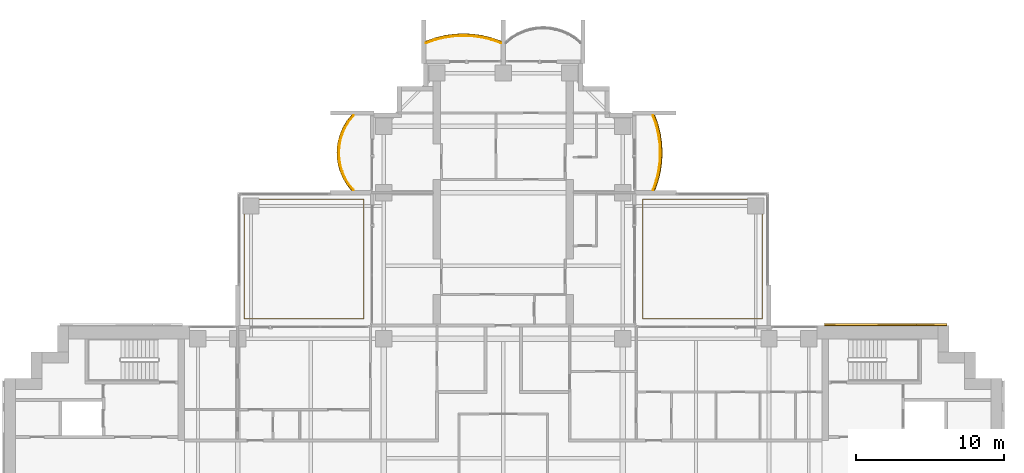
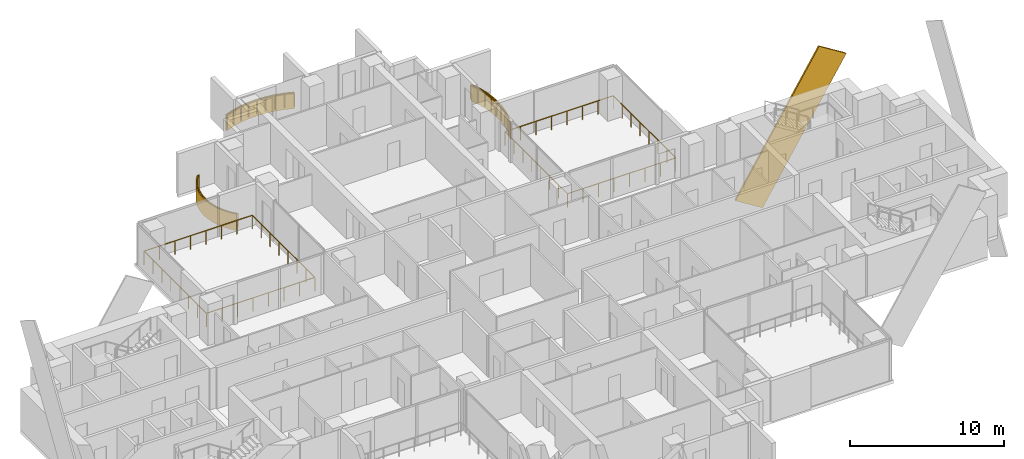
# One storey, part 18 of 19: 5 railings, 4 coverings.
"""IFC4 building model written with IfcOpenShell, lengths in metres."""

from ifc_helpers import new_model, si_unit, direction, frame, origin, origin_2d, place, context, subcontext, project, spatial, polyline, rectangle, outline, extrude, material, layer, layer_set, material_profile, profile_set, type_object, element, save


model = new_model("IFC4")

# Units and contexts
model_context = context("Model", 3, precision=1e-05, world=origin(), true_north=direction((0.0, 1.0)))
body_context = subcontext(model_context, "Body", "Model", "MODEL_VIEW")
ifc_project = project(units=[si_unit("LENGTHUNIT", "METRE"), si_unit("AREAUNIT", "SQUARE_METRE"), si_unit("VOLUMEUNIT", "CUBIC_METRE"), si_unit("PLANEANGLEUNIT", "RADIAN"), si_unit("MASSUNIT", "GRAM", prefix="KILO")], contexts=[model_context])

# Site, building, storey
site_placement = place(None, origin())
site = spatial("IfcSite", under=ifc_project, at=site_placement, CompositionType="ELEMENT")
building_placement = place(site_placement, origin())
building = spatial("IfcBuilding", under=site, at=building_placement, Name="Perihelion Cross Residences", CompositionType="ELEMENT")
storey_placement = place(building_placement, frame((0.0, 0.0, 116.39990234375)))
storey = spatial("IfcBuildingStorey", under=building, at=storey_placement, Name="L27", CompositionType="ELEMENT", Elevation=116.39990234375)

# Coverings
ifc_material_1 = material(Name="Bronze anodised aluminium", Category="aluminium")
ifc_layer = layer(ifc_material_1, 0.070068359375)
ifc_layer_set = layer_set([ifc_layer], Name="Balcony fascia 1300")
covering_type_1 = type_object("IfcCoveringType", Name="Balcony fascia 1300", PredefinedType="CLADDING", material=ifc_layer_set)
covering_1_placement = place(storey_placement, frame((0.0, 0.0, -0.199951171875)))
element("IfcCovering", 1, at=covering_1_placement, inside=storey, type_object=covering_type_1, Name="Fascia BF1 L27 north side east bay 2", PredefinedType="CLADDING", context=body_context, shape_type="SweptSolid", body=[
    extrude(outline(polyline([(10.49072265625, 18.767578125), (10.647216796875, 19.411865234375), (10.739501953125, 20.055908203125), (10.77001953125, 20.699951171875), (10.739501953125, 21.34423828125), (10.647216796875, 21.98828125), (10.49072265625, 22.63232421875), (10.274169921875, 23.25), (10.199951171875, 23.25), (10.423583984375, 22.612548828125), (10.57861328125, 21.97509765625), (10.669921875, 21.33740234375), (10.699951171875, 20.699951171875), (10.669921875, 20.0625), (10.57861328125, 19.425048828125), (10.423583984375, 18.78759765625), (10.199951171875, 18.14990234375), (10.274169921875, 18.14990234375), (10.49072265625, 18.767578125)])), origin(), (0.0, 0.0, 1.0), 1.300048828125),
])
covering_2_placement = place(storey_placement, frame((0.0, 0.0, -0.199951171875)))
element("IfcCovering", 2, at=covering_2_placement, inside=storey, type_object=covering_type_1, Name="Fascia BF1 L27 north tip north bay 2", PredefinedType="CLADDING", context=body_context, shape_type="SweptSolid", body=[
    extrude(outline(polyline([(-0.767578125, 28.49072265625), (-1.411865234375, 28.647216796875), (-2.055908203125, 28.739501953125), (-2.699951171875, 28.77001953125), (-3.34423828125, 28.739501953125), (-3.98828125, 28.647216796875), (-4.63232421875, 28.49072265625), (-5.25, 28.274169921875), (-5.25, 28.199951171875), (-4.612548828125, 28.423583984375), (-3.97509765625, 28.57861328125), (-3.33740234375, 28.669921875), (-2.699951171875, 28.699951171875), (-2.0625, 28.669921875), (-1.425048828125, 28.57861328125), (-0.78759765625, 28.423583984375), (-0.14990234375, 28.199951171875), (-0.14990234375, 28.274169921875), (-0.767578125, 28.49072265625)])), origin(), (0.0, 0.0, 1.0), 1.300048828125),
])
covering_3_placement = place(storey_placement, frame((0.0, 0.0, -0.199951171875)))
element("IfcCovering", 3, at=covering_3_placement, inside=storey, type_object=covering_type_1, Name="Fascia BF1 L27 north side west bay 1", PredefinedType="CLADDING", context=body_context, shape_type="SweptSolid", body=[
    extrude(outline(polyline([(-10.59765625, 22.86474609375), (-10.85498046875, 22.431884765625), (-11.04248046875, 21.998779296875), (-11.170654296875, 21.56591796875), (-11.245361328125, 21.133056640625), (-11.27001953125, 20.699951171875), (-11.245361328125, 20.26708984375), (-11.170654296875, 19.833984375), (-11.04248046875, 19.401123046875), (-10.85498046875, 18.96826171875), (-10.59765625, 18.53515625), (-10.28955078125, 18.14990234375), (-10.199951171875, 18.14990234375), (-10.5400390625, 18.574951171875), (-10.792724609375, 19.0), (-10.9765625, 19.425048828125), (-11.1025390625, 19.85009765625), (-11.17578125, 20.27490234375), (-11.199951171875, 20.699951171875), (-11.17578125, 21.125), (-11.1025390625, 21.550048828125), (-10.9765625, 21.97509765625), (-10.792724609375, 22.39990234375), (-10.5400390625, 22.824951171875), (-10.199951171875, 23.25), (-10.28955078125, 23.25), (-10.59765625, 22.86474609375)])), origin(), (0.0, 0.0, 1.0), 1.300048828125),
])

# Railings
ifc_material_2 = material(Name="Bronze anodised aluminium", Category="aluminium")
railing_type = type_object("IfcRailingType", Name="Balcony guard 1100", PredefinedType="GUARDRAIL", material=ifc_material_2)
railing_1_placement = place(storey_placement, frame((10.139892578125, 18.175048828125, 0.0)))
element("IfcRailing", 4, at=railing_1_placement, inside=storey, type_object=railing_type, Name="Guard GU1 L27 north side east bay 2 balcony", PredefinedType="GUARDRAIL", context=body_context, shape_type="SweptSolid", body=[
    extrude(rectangle(XDim=0.048095703125, YDim=0.048095703125, at=origin_2d()), frame((0.0, 0.0, 1.076171875), z_axis=(0.342945217749, 0.939355405384, 0.0), x_axis=(-0.939355405384, 0.342945217749, 0.0)), (0.0, 0.0, 1.0), 0.652099609375),
    extrude(rectangle(XDim=0.048095703125, YDim=0.048095703125, at=origin_2d()), frame((0.2236328125, 0.612548828125, 1.076171875), z_axis=(0.236313594268, 0.971676841941, 0.0), x_axis=(-0.971676841941, 0.236313594268, 0.0)), (0.0, 0.0, 1.0), 0.656005859375),
    extrude(rectangle(XDim=0.048095703125, YDim=0.048095703125, at=origin_2d()), frame((0.378662109375, 1.25, 1.076171875), z_axis=(0.141792889142, 0.989896346386, 0.0), x_axis=(-0.989896346386, 0.141792889142, 0.0)), (0.0, 0.0, 1.0), 0.64404296875),
    extrude(rectangle(XDim=0.048095703125, YDim=0.048095703125, at=origin_2d()), frame((0.469970703125, 1.887451171875, 1.076171875), z_axis=(0.04705620296, 0.998892243319, 0.0), x_axis=(-0.998892243319, 0.04705620296, 0.0)), (0.0, 0.0, 1.0), 0.63818359375),
    extrude(rectangle(XDim=0.048095703125, YDim=0.048095703125, at=origin_2d()), frame((0.5, 2.52490234375, 1.076171875), z_axis=(-0.04705620296, 0.998892243319, 0.0), x_axis=(-0.998892243319, -0.04705620296, 0.0)), (0.0, 0.0, 1.0), 0.63818359375),
    extrude(rectangle(XDim=0.048095703125, YDim=0.048095703125, at=origin_2d()), frame((0.469970703125, 3.162353515625, 1.076171875), z_axis=(-0.141739694763, 0.989903964498, 0.0), x_axis=(-0.989903964498, -0.141739694763, 0.0)), (0.0, 0.0, 1.0), 0.644287109375),
    extrude(rectangle(XDim=0.048095703125, YDim=0.048095703125, at=origin_2d()), frame((0.378662109375, 3.800048828125, 1.076171875), z_axis=(-0.236313594268, 0.971676841941, 0.0), x_axis=(-0.971676841941, -0.236313594268, 0.0)), (0.0, 0.0, 1.0), 0.656005859375),
    extrude(rectangle(XDim=0.048095703125, YDim=0.048095703125, at=origin_2d()), frame((0.2236328125, 4.4375, 1.076171875), z_axis=(-0.342945217749, 0.939355405384, 0.0), x_axis=(-0.939355405384, -0.342945217749, 0.0)), (0.0, 0.0, 1.0), 0.652099609375),
    extrude(rectangle(XDim=0.0419921875, YDim=0.0419921875, at=origin_2d()), origin(), (0.0, 0.0, 1.0), 1.052001953125),
    extrude(rectangle(XDim=0.0419921875, YDim=0.0419921875, at=origin_2d()), frame((0.2236328125, 0.612548828125, 0.0)), (0.0, 0.0, 1.0), 1.052001953125),
    extrude(rectangle(XDim=0.0419921875, YDim=0.0419921875, at=origin_2d()), frame((0.378662109375, 1.25, 0.0)), (0.0, 0.0, 1.0), 1.052001953125),
    extrude(rectangle(XDim=0.0419921875, YDim=0.0419921875, at=origin_2d()), frame((0.469970703125, 1.887451171875, 0.0)), (0.0, 0.0, 1.0), 1.052001953125),
    extrude(rectangle(XDim=0.0419921875, YDim=0.0419921875, at=origin_2d()), frame((0.5, 2.52490234375, 0.0)), (0.0, 0.0, 1.0), 1.052001953125),
    extrude(rectangle(XDim=0.0419921875, YDim=0.0419921875, at=origin_2d()), frame((0.469970703125, 3.162353515625, 0.0)), (0.0, 0.0, 1.0), 1.052001953125),
    extrude(rectangle(XDim=0.0419921875, YDim=0.0419921875, at=origin_2d()), frame((0.378662109375, 3.800048828125, 0.0)), (0.0, 0.0, 1.0), 1.052001953125),
    extrude(rectangle(XDim=0.0419921875, YDim=0.0419921875, at=origin_2d()), frame((0.2236328125, 4.4375, 0.0)), (0.0, 0.0, 1.0), 1.052001953125),
    extrude(rectangle(XDim=0.0419921875, YDim=0.0419921875, at=origin_2d()), frame((0.0, 5.050048828125, 0.0)), (0.0, 0.0, 1.0), 1.052001953125),
])
railing_2_placement = place(storey_placement, frame((-0.175048828125, 28.139892578125, 0.0)))
element("IfcRailing", 5, at=railing_2_placement, inside=storey, type_object=railing_type, Name="Guard GU1 L27 north tip north bay 2 balcony", PredefinedType="GUARDRAIL", context=body_context, shape_type="SweptSolid", body=[
    extrude(rectangle(XDim=0.048095703125, YDim=0.048095703125, at=origin_2d()), frame((0.0, 0.0, 1.076171875), z_axis=(-0.939355405384, 0.342945217749, 0.0), x_axis=(-0.342945217749, -0.939355405384, 0.0)), (0.0, 0.0, 1.0), 0.652099609375),
    extrude(rectangle(XDim=0.048095703125, YDim=0.048095703125, at=origin_2d()), frame((-0.612548828125, 0.2236328125, 1.076171875), z_axis=(-0.971676841941, 0.236313594268, 0.0), x_axis=(-0.236313594268, -0.971676841941, 0.0)), (0.0, 0.0, 1.0), 0.656005859375),
    extrude(rectangle(XDim=0.048095703125, YDim=0.048095703125, at=origin_2d()), frame((-1.25, 0.378662109375, 1.076171875), z_axis=(-0.989896346386, 0.141792889142, 0.0), x_axis=(-0.141792889142, -0.989896346386, 0.0)), (0.0, 0.0, 1.0), 0.64404296875),
    extrude(rectangle(XDim=0.048095703125, YDim=0.048095703125, at=origin_2d()), frame((-1.887451171875, 0.469970703125, 1.076171875), z_axis=(-0.998892243319, 0.04705620296, 0.0), x_axis=(-0.04705620296, -0.998892243319, 0.0)), (0.0, 0.0, 1.0), 0.63818359375),
    extrude(rectangle(XDim=0.048095703125, YDim=0.048095703125, at=origin_2d()), frame((-2.52490234375, 0.5, 1.076171875), z_axis=(-0.998892243319, -0.04705620296, 0.0), x_axis=(0.04705620296, -0.998892243319, 0.0)), (0.0, 0.0, 1.0), 0.63818359375),
    extrude(rectangle(XDim=0.048095703125, YDim=0.048095703125, at=origin_2d()), frame((-3.162353515625, 0.469970703125, 1.076171875), z_axis=(-0.989903964498, -0.141739694763, 0.0), x_axis=(0.141739694763, -0.989903964498, 0.0)), (0.0, 0.0, 1.0), 0.644287109375),
    extrude(rectangle(XDim=0.048095703125, YDim=0.048095703125, at=origin_2d()), frame((-3.800048828125, 0.378662109375, 1.076171875), z_axis=(-0.971676841941, -0.236313594268, 0.0), x_axis=(0.236313594268, -0.971676841941, 0.0)), (0.0, 0.0, 1.0), 0.656005859375),
    extrude(rectangle(XDim=0.048095703125, YDim=0.048095703125, at=origin_2d()), frame((-4.4375, 0.2236328125, 1.076171875), z_axis=(-0.939355405384, -0.342945217749, 0.0), x_axis=(0.342945217749, -0.939355405384, 0.0)), (0.0, 0.0, 1.0), 0.652099609375),
    extrude(rectangle(XDim=0.0419921875, YDim=0.0419921875, at=origin_2d()), origin(), (0.0, 0.0, 1.0), 1.052001953125),
    extrude(rectangle(XDim=0.0419921875, YDim=0.0419921875, at=origin_2d()), frame((-0.612548828125, 0.2236328125, 0.0)), (0.0, 0.0, 1.0), 1.052001953125),
    extrude(rectangle(XDim=0.0419921875, YDim=0.0419921875, at=origin_2d()), frame((-1.25, 0.378662109375, 0.0)), (0.0, 0.0, 1.0), 1.052001953125),
    extrude(rectangle(XDim=0.0419921875, YDim=0.0419921875, at=origin_2d()), frame((-1.887451171875, 0.469970703125, 0.0)), (0.0, 0.0, 1.0), 1.052001953125),
    extrude(rectangle(XDim=0.0419921875, YDim=0.0419921875, at=origin_2d()), frame((-2.52490234375, 0.5, 0.0)), (0.0, 0.0, 1.0), 1.052001953125),
    extrude(rectangle(XDim=0.0419921875, YDim=0.0419921875, at=origin_2d()), frame((-3.162353515625, 0.469970703125, 0.0)), (0.0, 0.0, 1.0), 1.052001953125),
    extrude(rectangle(XDim=0.0419921875, YDim=0.0419921875, at=origin_2d()), frame((-3.800048828125, 0.378662109375, 0.0)), (0.0, 0.0, 1.0), 1.052001953125),
    extrude(rectangle(XDim=0.0419921875, YDim=0.0419921875, at=origin_2d()), frame((-4.4375, 0.2236328125, 0.0)), (0.0, 0.0, 1.0), 1.052001953125),
    extrude(rectangle(XDim=0.0419921875, YDim=0.0419921875, at=origin_2d()), frame((-5.050048828125, 0.0, 0.0)), (0.0, 0.0, 1.0), 1.052001953125),
])
railing_3_placement = place(storey_placement, frame((-10.139892578125, 23.22509765625, 0.0)))
element("IfcRailing", 6, at=railing_3_placement, inside=storey, type_object=railing_type, Name="Guard GU1 L27 north side west bay 1 balcony", PredefinedType="GUARDRAIL", context=body_context, shape_type="SweptSolid", body=[
    extrude(rectangle(XDim=0.048095703125, YDim=0.048095703125, at=origin_2d()), frame((0.0, 0.0, 1.076171875), z_axis=(-0.647607934281, -0.761973728849, 0.0), x_axis=(0.761973728849, -0.647607934281, 0.0)), (0.0, 0.0, 1.0), 0.525146484375),
    extrude(rectangle(XDim=0.048095703125, YDim=0.048095703125, at=origin_2d()), frame((-0.340087890625, -0.400146484375, 1.076171875), z_axis=(-0.511006381501, -0.859576918062, 0.0), x_axis=(0.859576918062, -0.511006381501, 0.0)), (0.0, 0.0, 1.0), 0.494384765625),
    extrude(rectangle(XDim=0.048095703125, YDim=0.048095703125, at=origin_2d()), frame((-0.5927734375, -0.8251953125, 1.076171875), z_axis=(-0.397607437634, -0.91755562531, 0.0), x_axis=(0.91755562531, -0.397607437634, 0.0)), (0.0, 0.0, 1.0), 0.462890625),
    extrude(rectangle(XDim=0.048095703125, YDim=0.048095703125, at=origin_2d()), frame((-0.77685546875, -1.25, 1.076171875), z_axis=(-0.283656975924, -0.958925815697, 0.0), x_axis=(0.958925815697, -0.283656975924, 0.0)), (0.0, 0.0, 1.0), 0.443359375),
    extrude(rectangle(XDim=0.048095703125, YDim=0.048095703125, at=origin_2d()), frame((-0.902587890625, -1.675048828125, 1.076171875), z_axis=(-0.17036177859, -0.985381583142, 0.0), x_axis=(0.985381583142, -0.17036177859, 0.0)), (0.0, 0.0, 1.0), 0.431396484375),
    extrude(rectangle(XDim=0.048095703125, YDim=0.048095703125, at=origin_2d()), frame((-0.97607421875, -2.10009765625, 1.076171875), z_axis=(-0.056200523353, -0.9984195016, 0.0), x_axis=(0.9984195016, -0.056200523353, 0.0)), (0.0, 0.0, 1.0), 0.42578125),
    extrude(rectangle(XDim=0.048095703125, YDim=0.048095703125, at=origin_2d()), frame((-1.0, -2.525146484375, 1.076171875), z_axis=(0.056200523353, -0.9984195016, 0.0), x_axis=(0.9984195016, 0.056200523353, 0.0)), (0.0, 0.0, 1.0), 0.42578125),
    extrude(rectangle(XDim=0.048095703125, YDim=0.048095703125, at=origin_2d()), frame((-0.97607421875, -2.9501953125, 1.076171875), z_axis=(0.170456843651, -0.985365142702, 0.0), x_axis=(0.985365142702, 0.170456843651, 0.0)), (0.0, 0.0, 1.0), 0.43115234375),
    extrude(rectangle(XDim=0.048095703125, YDim=0.048095703125, at=origin_2d()), frame((-0.902587890625, -3.375, 1.076171875), z_axis=(0.283656975924, -0.958925815697, 0.0), x_axis=(0.958925815697, 0.283656975924, 0.0)), (0.0, 0.0, 1.0), 0.443359375),
    extrude(rectangle(XDim=0.048095703125, YDim=0.048095703125, at=origin_2d()), frame((-0.77685546875, -3.800048828125, 1.076171875), z_axis=(0.397415137459, -0.917638931453, 0.0), x_axis=(0.917638931453, 0.397415137459, 0.0)), (0.0, 0.0, 1.0), 0.463134765625),
    extrude(rectangle(XDim=0.048095703125, YDim=0.048095703125, at=origin_2d()), frame((-0.5927734375, -4.22509765625, 1.076171875), z_axis=(0.511006381501, -0.859576918062, 0.0), x_axis=(0.859576918062, 0.511006381501, 0.0)), (0.0, 0.0, 1.0), 0.494384765625),
    extrude(rectangle(XDim=0.048095703125, YDim=0.048095703125, at=origin_2d()), frame((-0.340087890625, -4.650146484375, 1.076171875), z_axis=(0.647837396648, -0.761778647315, 0.0), x_axis=(0.761778647315, 0.647837396648, 0.0)), (0.0, 0.0, 1.0), 0.52490234375),
    extrude(rectangle(XDim=0.0419921875, YDim=0.0419921875, at=origin_2d()), origin(), (0.0, 0.0, 1.0), 1.052001953125),
    extrude(rectangle(XDim=0.0419921875, YDim=0.0419921875, at=origin_2d()), frame((-0.340087890625, -0.400146484375, 0.0)), (0.0, 0.0, 1.0), 1.052001953125),
    extrude(rectangle(XDim=0.0419921875, YDim=0.0419921875, at=origin_2d()), frame((-0.5927734375, -0.8251953125, 0.0)), (0.0, 0.0, 1.0), 1.052001953125),
    extrude(rectangle(XDim=0.0419921875, YDim=0.0419921875, at=origin_2d()), frame((-0.77685546875, -1.25, 0.0)), (0.0, 0.0, 1.0), 1.052001953125),
    extrude(rectangle(XDim=0.0419921875, YDim=0.0419921875, at=origin_2d()), frame((-0.902587890625, -1.675048828125, 0.0)), (0.0, 0.0, 1.0), 1.052001953125),
    extrude(rectangle(XDim=0.0419921875, YDim=0.0419921875, at=origin_2d()), frame((-0.97607421875, -2.10009765625, 0.0)), (0.0, 0.0, 1.0), 1.052001953125),
    extrude(rectangle(XDim=0.0419921875, YDim=0.0419921875, at=origin_2d()), frame((-1.0, -2.525146484375, 0.0)), (0.0, 0.0, 1.0), 1.052001953125),
    extrude(rectangle(XDim=0.0419921875, YDim=0.0419921875, at=origin_2d()), frame((-0.97607421875, -2.9501953125, 0.0)), (0.0, 0.0, 1.0), 1.052001953125),
    extrude(rectangle(XDim=0.0419921875, YDim=0.0419921875, at=origin_2d()), frame((-0.902587890625, -3.375, 0.0)), (0.0, 0.0, 1.0), 1.052001953125),
    extrude(rectangle(XDim=0.0419921875, YDim=0.0419921875, at=origin_2d()), frame((-0.77685546875, -3.800048828125, 0.0)), (0.0, 0.0, 1.0), 1.052001953125),
    extrude(rectangle(XDim=0.0419921875, YDim=0.0419921875, at=origin_2d()), frame((-0.5927734375, -4.22509765625, 0.0)), (0.0, 0.0, 1.0), 1.052001953125),
    extrude(rectangle(XDim=0.0419921875, YDim=0.0419921875, at=origin_2d()), frame((-0.340087890625, -4.650146484375, 0.0)), (0.0, 0.0, 1.0), 1.052001953125),
    extrude(rectangle(XDim=0.0419921875, YDim=0.0419921875, at=origin_2d()), frame((0.0, -5.050048828125, 0.0)), (0.0, 0.0, 1.0), 1.052001953125),
])
railing_4_placement = place(storey_placement, frame((17.550048828125, 9.449951171875, 0.0)))
element("IfcRailing", 7, at=railing_4_placement, inside=storey, type_object=railing_type, Name="Guard GU1 L27 pocket north-east 1", PredefinedType="GUARDRAIL", context=body_context, shape_type="SweptSolid", body=[
    extrude(rectangle(XDim=0.048095703125, YDim=0.048095703125, at=origin_2d()), frame((0.0, 0.0, 1.076171875), z_axis=(-1.0, 0.0, 0.0), x_axis=(0.0, -1.0, 0.0)), (0.0, 0.0, 1.0), 8.10009765625),
    extrude(rectangle(XDim=0.048095703125, YDim=0.048095703125, at=origin_2d()), frame((-8.10009765625, 0.0, 1.076171875), z_axis=(0.0, 1.0, 0.0), x_axis=(-1.0, 0.0, 0.0)), (0.0, 0.0, 1.0), 8.10009765625),
    extrude(rectangle(XDim=0.048095703125, YDim=0.048095703125, at=origin_2d()), frame((-8.10009765625, 8.10009765625, 1.076171875), z_axis=(1.0, 0.0, 0.0), x_axis=(0.0, 1.0, 0.0)), (0.0, 0.0, 1.0), 8.10009765625),
    extrude(rectangle(XDim=0.048095703125, YDim=0.048095703125, at=origin_2d()), frame((0.0, 8.10009765625, 1.076171875), z_axis=(0.0, -1.0, 0.0), x_axis=(1.0, 0.0, 0.0)), (0.0, 0.0, 1.0), 8.10009765625),
    extrude(rectangle(XDim=0.0419921875, YDim=0.0419921875, at=origin_2d()), origin(), (0.0, 0.0, 1.0), 1.052001953125),
    extrude(rectangle(XDim=0.0419921875, YDim=0.0419921875, at=origin_2d()), frame((-1.1572265625, 0.0, 0.0)), (0.0, 0.0, 1.0), 1.052001953125),
    extrude(rectangle(XDim=0.0419921875, YDim=0.0419921875, at=origin_2d()), frame((-2.314208984375, 0.0, 0.0)), (0.0, 0.0, 1.0), 1.052001953125),
    extrude(rectangle(XDim=0.0419921875, YDim=0.0419921875, at=origin_2d()), frame((-3.471435546875, 0.0, 0.0)), (0.0, 0.0, 1.0), 1.052001953125),
    extrude(rectangle(XDim=0.0419921875, YDim=0.0419921875, at=origin_2d()), frame((-4.628662109375, 0.0, 0.0)), (0.0, 0.0, 1.0), 1.052001953125),
    extrude(rectangle(XDim=0.0419921875, YDim=0.0419921875, at=origin_2d()), frame((-5.785888671875, 0.0, 0.0)), (0.0, 0.0, 1.0), 1.052001953125),
    extrude(rectangle(XDim=0.0419921875, YDim=0.0419921875, at=origin_2d()), frame((-6.94287109375, 0.0, 0.0)), (0.0, 0.0, 1.0), 1.052001953125),
    extrude(rectangle(XDim=0.0419921875, YDim=0.0419921875, at=origin_2d()), frame((-8.10009765625, 0.0, 0.0)), (0.0, 0.0, 1.0), 1.052001953125),
    extrude(rectangle(XDim=0.0419921875, YDim=0.0419921875, at=origin_2d()), frame((-8.10009765625, 1.1572265625, 0.0)), (0.0, 0.0, 1.0), 1.052001953125),
    extrude(rectangle(XDim=0.0419921875, YDim=0.0419921875, at=origin_2d()), frame((-8.10009765625, 2.314208984375, 0.0)), (0.0, 0.0, 1.0), 1.052001953125),
    extrude(rectangle(XDim=0.0419921875, YDim=0.0419921875, at=origin_2d()), frame((-8.10009765625, 3.471435546875, 0.0)), (0.0, 0.0, 1.0), 1.052001953125),
    extrude(rectangle(XDim=0.0419921875, YDim=0.0419921875, at=origin_2d()), frame((-8.10009765625, 4.628662109375, 0.0)), (0.0, 0.0, 1.0), 1.052001953125),
    extrude(rectangle(XDim=0.0419921875, YDim=0.0419921875, at=origin_2d()), frame((-8.10009765625, 5.785888671875, 0.0)), (0.0, 0.0, 1.0), 1.052001953125),
    extrude(rectangle(XDim=0.0419921875, YDim=0.0419921875, at=origin_2d()), frame((-8.10009765625, 6.94287109375, 0.0)), (0.0, 0.0, 1.0), 1.052001953125),
    extrude(rectangle(XDim=0.0419921875, YDim=0.0419921875, at=origin_2d()), frame((-8.10009765625, 8.10009765625, 0.0)), (0.0, 0.0, 1.0), 1.052001953125),
    extrude(rectangle(XDim=0.0419921875, YDim=0.0419921875, at=origin_2d()), frame((-6.94287109375, 8.10009765625, 0.0)), (0.0, 0.0, 1.0), 1.052001953125),
    extrude(rectangle(XDim=0.0419921875, YDim=0.0419921875, at=origin_2d()), frame((-5.785888671875, 8.10009765625, 0.0)), (0.0, 0.0, 1.0), 1.052001953125),
    extrude(rectangle(XDim=0.0419921875, YDim=0.0419921875, at=origin_2d()), frame((-4.628662109375, 8.10009765625, 0.0)), (0.0, 0.0, 1.0), 1.052001953125),
    extrude(rectangle(XDim=0.0419921875, YDim=0.0419921875, at=origin_2d()), frame((-3.471435546875, 8.10009765625, 0.0)), (0.0, 0.0, 1.0), 1.052001953125),
    extrude(rectangle(XDim=0.0419921875, YDim=0.0419921875, at=origin_2d()), frame((-2.314208984375, 8.10009765625, 0.0)), (0.0, 0.0, 1.0), 1.052001953125),
    extrude(rectangle(XDim=0.0419921875, YDim=0.0419921875, at=origin_2d()), frame((-1.1572265625, 8.10009765625, 0.0)), (0.0, 0.0, 1.0), 1.052001953125),
    extrude(rectangle(XDim=0.0419921875, YDim=0.0419921875, at=origin_2d()), frame((0.0, 8.10009765625, 0.0)), (0.0, 0.0, 1.0), 1.052001953125),
    extrude(rectangle(XDim=0.0419921875, YDim=0.0419921875, at=origin_2d()), frame((0.0, 6.94287109375, 0.0)), (0.0, 0.0, 1.0), 1.052001953125),
    extrude(rectangle(XDim=0.0419921875, YDim=0.0419921875, at=origin_2d()), frame((0.0, 5.785888671875, 0.0)), (0.0, 0.0, 1.0), 1.052001953125),
    extrude(rectangle(XDim=0.0419921875, YDim=0.0419921875, at=origin_2d()), frame((0.0, 4.628662109375, 0.0)), (0.0, 0.0, 1.0), 1.052001953125),
    extrude(rectangle(XDim=0.0419921875, YDim=0.0419921875, at=origin_2d()), frame((0.0, 3.471435546875, 0.0)), (0.0, 0.0, 1.0), 1.052001953125),
    extrude(rectangle(XDim=0.0419921875, YDim=0.0419921875, at=origin_2d()), frame((0.0, 2.314208984375, 0.0)), (0.0, 0.0, 1.0), 1.052001953125),
    extrude(rectangle(XDim=0.0419921875, YDim=0.0419921875, at=origin_2d()), frame((0.0, 1.1572265625, 0.0)), (0.0, 0.0, 1.0), 1.052001953125),
])
railing_5_placement = place(storey_placement, frame((-9.449951171875, 9.449951171875, 0.0)))
element("IfcRailing", 8, at=railing_5_placement, inside=storey, type_object=railing_type, Name="Guard GU1 L27 pocket north-west 1", PredefinedType="GUARDRAIL", context=body_context, shape_type="SweptSolid", body=[
    extrude(rectangle(XDim=0.048095703125, YDim=0.048095703125, at=origin_2d()), frame((0.0, 0.0, 1.076171875), z_axis=(-1.0, 0.0, 0.0), x_axis=(0.0, -1.0, 0.0)), (0.0, 0.0, 1.0), 8.10009765625),
    extrude(rectangle(XDim=0.048095703125, YDim=0.048095703125, at=origin_2d()), frame((-8.10009765625, 0.0, 1.076171875), z_axis=(0.0, 1.0, 0.0), x_axis=(-1.0, 0.0, 0.0)), (0.0, 0.0, 1.0), 8.10009765625),
    extrude(rectangle(XDim=0.048095703125, YDim=0.048095703125, at=origin_2d()), frame((-8.10009765625, 8.10009765625, 1.076171875), z_axis=(1.0, 0.0, 0.0), x_axis=(0.0, 1.0, 0.0)), (0.0, 0.0, 1.0), 8.10009765625),
    extrude(rectangle(XDim=0.048095703125, YDim=0.048095703125, at=origin_2d()), frame((0.0, 8.10009765625, 1.076171875), z_axis=(0.0, -1.0, 0.0), x_axis=(1.0, 0.0, 0.0)), (0.0, 0.0, 1.0), 8.10009765625),
    extrude(rectangle(XDim=0.0419921875, YDim=0.0419921875, at=origin_2d()), origin(), (0.0, 0.0, 1.0), 1.052001953125),
    extrude(rectangle(XDim=0.0419921875, YDim=0.0419921875, at=origin_2d()), frame((-1.1572265625, 0.0, 0.0)), (0.0, 0.0, 1.0), 1.052001953125),
    extrude(rectangle(XDim=0.0419921875, YDim=0.0419921875, at=origin_2d()), frame((-2.314208984375, 0.0, 0.0)), (0.0, 0.0, 1.0), 1.052001953125),
    extrude(rectangle(XDim=0.0419921875, YDim=0.0419921875, at=origin_2d()), frame((-3.471435546875, 0.0, 0.0)), (0.0, 0.0, 1.0), 1.052001953125),
    extrude(rectangle(XDim=0.0419921875, YDim=0.0419921875, at=origin_2d()), frame((-4.628662109375, 0.0, 0.0)), (0.0, 0.0, 1.0), 1.052001953125),
    extrude(rectangle(XDim=0.0419921875, YDim=0.0419921875, at=origin_2d()), frame((-5.785888671875, 0.0, 0.0)), (0.0, 0.0, 1.0), 1.052001953125),
    extrude(rectangle(XDim=0.0419921875, YDim=0.0419921875, at=origin_2d()), frame((-6.94287109375, 0.0, 0.0)), (0.0, 0.0, 1.0), 1.052001953125),
    extrude(rectangle(XDim=0.0419921875, YDim=0.0419921875, at=origin_2d()), frame((-8.10009765625, 0.0, 0.0)), (0.0, 0.0, 1.0), 1.052001953125),
    extrude(rectangle(XDim=0.0419921875, YDim=0.0419921875, at=origin_2d()), frame((-8.10009765625, 1.1572265625, 0.0)), (0.0, 0.0, 1.0), 1.052001953125),
    extrude(rectangle(XDim=0.0419921875, YDim=0.0419921875, at=origin_2d()), frame((-8.10009765625, 2.314208984375, 0.0)), (0.0, 0.0, 1.0), 1.052001953125),
    extrude(rectangle(XDim=0.0419921875, YDim=0.0419921875, at=origin_2d()), frame((-8.10009765625, 3.471435546875, 0.0)), (0.0, 0.0, 1.0), 1.052001953125),
    extrude(rectangle(XDim=0.0419921875, YDim=0.0419921875, at=origin_2d()), frame((-8.10009765625, 4.628662109375, 0.0)), (0.0, 0.0, 1.0), 1.052001953125),
    extrude(rectangle(XDim=0.0419921875, YDim=0.0419921875, at=origin_2d()), frame((-8.10009765625, 5.785888671875, 0.0)), (0.0, 0.0, 1.0), 1.052001953125),
    extrude(rectangle(XDim=0.0419921875, YDim=0.0419921875, at=origin_2d()), frame((-8.10009765625, 6.94287109375, 0.0)), (0.0, 0.0, 1.0), 1.052001953125),
    extrude(rectangle(XDim=0.0419921875, YDim=0.0419921875, at=origin_2d()), frame((-8.10009765625, 8.10009765625, 0.0)), (0.0, 0.0, 1.0), 1.052001953125),
    extrude(rectangle(XDim=0.0419921875, YDim=0.0419921875, at=origin_2d()), frame((-6.94287109375, 8.10009765625, 0.0)), (0.0, 0.0, 1.0), 1.052001953125),
    extrude(rectangle(XDim=0.0419921875, YDim=0.0419921875, at=origin_2d()), frame((-5.785888671875, 8.10009765625, 0.0)), (0.0, 0.0, 1.0), 1.052001953125),
    extrude(rectangle(XDim=0.0419921875, YDim=0.0419921875, at=origin_2d()), frame((-4.628662109375, 8.10009765625, 0.0)), (0.0, 0.0, 1.0), 1.052001953125),
    extrude(rectangle(XDim=0.0419921875, YDim=0.0419921875, at=origin_2d()), frame((-3.471435546875, 8.10009765625, 0.0)), (0.0, 0.0, 1.0), 1.052001953125),
    extrude(rectangle(XDim=0.0419921875, YDim=0.0419921875, at=origin_2d()), frame((-2.314208984375, 8.10009765625, 0.0)), (0.0, 0.0, 1.0), 1.052001953125),
    extrude(rectangle(XDim=0.0419921875, YDim=0.0419921875, at=origin_2d()), frame((-1.1572265625, 8.10009765625, 0.0)), (0.0, 0.0, 1.0), 1.052001953125),
    extrude(rectangle(XDim=0.0419921875, YDim=0.0419921875, at=origin_2d()), frame((0.0, 8.10009765625, 0.0)), (0.0, 0.0, 1.0), 1.052001953125),
    extrude(rectangle(XDim=0.0419921875, YDim=0.0419921875, at=origin_2d()), frame((0.0, 6.94287109375, 0.0)), (0.0, 0.0, 1.0), 1.052001953125),
    extrude(rectangle(XDim=0.0419921875, YDim=0.0419921875, at=origin_2d()), frame((0.0, 5.785888671875, 0.0)), (0.0, 0.0, 1.0), 1.052001953125),
    extrude(rectangle(XDim=0.0419921875, YDim=0.0419921875, at=origin_2d()), frame((0.0, 4.628662109375, 0.0)), (0.0, 0.0, 1.0), 1.052001953125),
    extrude(rectangle(XDim=0.0419921875, YDim=0.0419921875, at=origin_2d()), frame((0.0, 3.471435546875, 0.0)), (0.0, 0.0, 1.0), 1.052001953125),
    extrude(rectangle(XDim=0.0419921875, YDim=0.0419921875, at=origin_2d()), frame((0.0, 2.314208984375, 0.0)), (0.0, 0.0, 1.0), 1.052001953125),
    extrude(rectangle(XDim=0.0419921875, YDim=0.0419921875, at=origin_2d()), frame((0.0, 1.1572265625, 0.0)), (0.0, 0.0, 1.0), 1.052001953125),
])

# Covering
ifc_material_3 = material(Name="Bronze anodised aluminium", Category="aluminium")
ifc_material_profile = material_profile(ifc_material_3, rectangle(XDim=0.125, YDim=2.39990234375, at=origin_2d()), Name="Bronze cladding band 2400")
ifc_profile_set = profile_set([ifc_material_profile], Name="Bronze anodised aluminium")
covering_type_2 = type_object("IfcCoveringType", Name="Bronze cladding band 2400", PredefinedType="CLADDING", material=ifc_profile_set)
covering_4_placement = place(storey_placement, frame((22.767578125, 9.0625, -4.156005859375), z_axis=(0.529915403603, 0.0, 0.848050508534), x_axis=(0.0, 1.0, 0.0)))
element("IfcCovering", 9, at=covering_4_placement, inside=storey, type_object=covering_type_2, Name="Core cladding band, east core", PredefinedType="CLADDING", context=body_context, shape_type="SweptSolid", body=[
    extrude(rectangle(XDim=0.125, YDim=2.39990234375, at=origin_2d()), origin(), (0.0, 0.0, 1.0), 11.822021484375),
])

save(model, "model.ifc")
